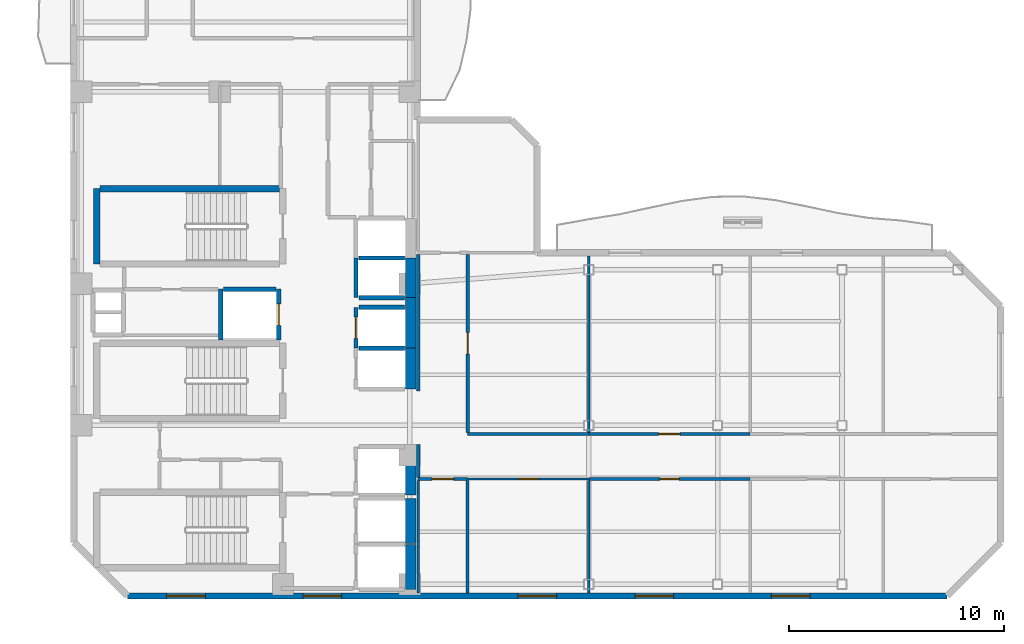
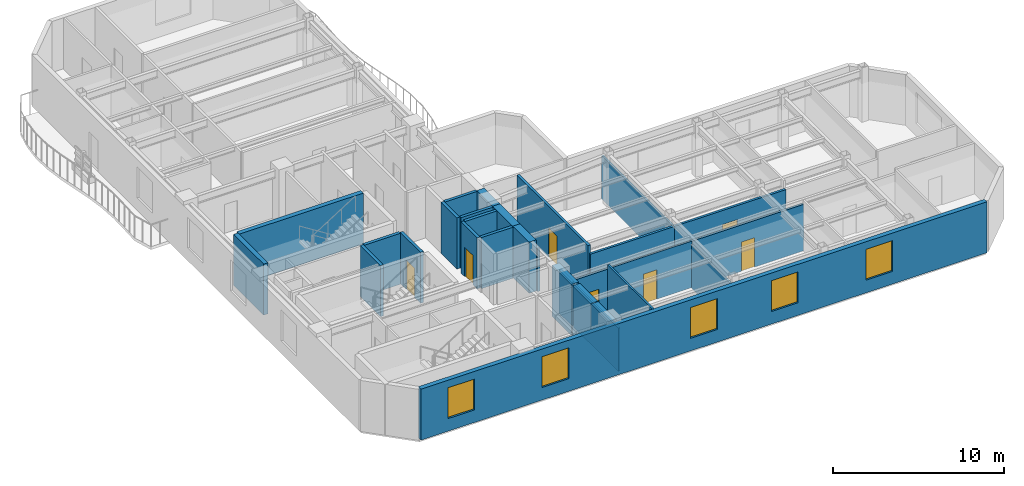
# One storey, part 3 of 9: 30 walls, 7 doors, 5 windows, 12 openings.
"""IFC4 building model written with IfcOpenShell, lengths in metres."""

from ifc_helpers import new_model, si_unit, direction, frame, frame_2d, origin, place, context, subcontext, project, spatial, rectangle, extrude, material, layer, layer_set, type_object, element, fill, save


model = new_model("IFC4")

# Units and contexts
model_context = context("Model", 3, precision=1e-05, world=origin(), true_north=direction((0.0, 1.0)))
body_context = subcontext(model_context, "Body", "Model", "MODEL_VIEW")
ifc_project = project(units=[si_unit("LENGTHUNIT", "METRE"), si_unit("AREAUNIT", "SQUARE_METRE"), si_unit("VOLUMEUNIT", "CUBIC_METRE"), si_unit("PLANEANGLEUNIT", "RADIAN"), si_unit("MASSUNIT", "GRAM", prefix="KILO")], contexts=[model_context])

# Site, building, storey
site_placement = place(None, origin())
site = spatial("IfcSite", under=ifc_project, at=site_placement, CompositionType="ELEMENT")
building_placement = place(site_placement, origin())
building = spatial("IfcBuilding", under=site, at=building_placement, Name="Mawjaban Terraces University", CompositionType="ELEMENT")
storey_placement = place(building_placement, frame((0.0, 0.0, 234.300048828125)))
storey = spatial("IfcBuildingStorey", under=building, at=storey_placement, Name="L57", CompositionType="ELEMENT", Elevation=234.300048828125)

# Walls
ifc_material_1 = material(Name="Concrete C60/75", Category="concrete")
ifc_layer_1 = layer(ifc_material_1, 0.5)
ifc_layer_set_1 = layer_set([ifc_layer_1], Name="Concrete C60/75")
wall_type_1 = type_object("IfcWallType", Name="CoreShearWall_500", PredefinedType="SHEAR", material=ifc_layer_set_1)
wall_1_placement = place(storey_placement, frame((37.699951171875, 0.300048828125, 0.0), z_axis=(0.0, 0.0, 1.0), x_axis=(0.0, 1.0, 0.0)))
element("IfcWall", 1, at=wall_1_placement, inside=storey, type_object=wall_type_1, Name="L57 Lift FL-1 Hoistway Wall East", PredefinedType="SHEAR", context=body_context, shape_type="SweptSolid", body=[
    extrude(rectangle(XDim=2.099853515625, YDim=0.5, at=frame_2d((1.0498046875, 0.0))), origin(), (0.0, 0.0, 1.0), 3.639892578125),
])
wall_2_placement = place(storey_placement, frame((37.699951171875, 2.449951171875, 0.0), z_axis=(0.0, 0.0, 1.0), x_axis=(0.0, 1.0, 0.0)))
element("IfcWall", 2, at=wall_2_placement, inside=storey, type_object=wall_type_1, Name="L57 Lift FL-2 Hoistway Wall East", PredefinedType="SHEAR", context=body_context, shape_type="SweptSolid", body=[
    extrude(rectangle(XDim=2.10009765625, YDim=0.5, at=frame_2d((1.050048828125, 0.0))), origin(), (0.0, 0.0, 1.0), 3.639892578125),
])
wall_3_placement = place(storey_placement, frame((37.699951171875, 4.699951171875, 0.0), z_axis=(0.0, 0.0, 1.0), x_axis=(0.0, 1.0, 0.0)))
element("IfcWall", 3, at=wall_3_placement, inside=storey, type_object=wall_type_1, Name="L57 Lift SL-1 Hoistway Wall East", PredefinedType="SHEAR", context=body_context, shape_type="SweptSolid", body=[
    extrude(rectangle(XDim=2.25, YDim=0.5, at=frame_2d((1.125, 0.0))), origin(), (0.0, 0.0, 1.0), 3.639892578125),
])
wall_4_placement = place(storey_placement, frame((37.699951171875, 9.64990234375, 0.0), z_axis=(0.0, 0.0, 1.0), x_axis=(0.0, 1.0, 0.0)))
element("IfcWall", 4, at=wall_4_placement, inside=storey, type_object=wall_type_1, Name="L57 Lift PL-H1 Hoistway Wall East", PredefinedType="SHEAR", context=body_context, shape_type="SweptSolid", body=[
    extrude(rectangle(XDim=1.900146484375, YDim=0.5, at=frame_2d((0.9501953125, 0.0))), origin(), (0.0, 0.0, 1.0), 3.639892578125),
])
wall_5_placement = place(storey_placement, frame((37.699951171875, 11.550048828125, 0.0), z_axis=(0.0, 0.0, 1.0), x_axis=(0.0, 1.0, 0.0)))
element("IfcWall", 5, at=wall_5_placement, inside=storey, type_object=wall_type_1, Name="L57 Lift PL-H2 Hoistway Wall East", PredefinedType="SHEAR", context=body_context, shape_type="SweptSolid", body=[
    extrude(rectangle(XDim=2.349853515625, YDim=0.5, at=frame_2d((1.1748046875, 0.0))), origin(), (0.0, 0.0, 1.0), 3.639892578125),
])
wall_6_placement = place(storey_placement, frame((37.699951171875, 13.89990234375, 0.0), z_axis=(0.0, 0.0, 1.0), x_axis=(0.0, 1.0, 0.0)))
element("IfcWall", 6, at=wall_6_placement, inside=storey, type_object=wall_type_1, Name="L57 Lift OL-1 Hoistway Wall East", PredefinedType="SHEAR", context=body_context, shape_type="SweptSolid", body=[
    extrude(rectangle(XDim=1.85009765625, YDim=0.5, at=frame_2d((0.925048828125, 0.0))), origin(), (0.0, 0.0, 1.0), 3.639892578125),
])

# Wall, opening, door
ifc_material_2 = material(Name="Fire-rated gypsum board on steel stud", Category="steel")
ifc_layer_2 = layer(ifc_material_2, 0.159912109375)
ifc_layer_set_2 = layer_set([ifc_layer_2], Name="Fire-rated gypsum board on steel stud")
wall_type_2 = type_object("IfcWallType", Name="CorridorPartition_160", PredefinedType="PARTITIONING", material=ifc_layer_set_2)
wall_7_placement = place(storey_placement, frame((38.050048828125, 5.449951171875, 0.0), z_axis=(0.0, 0.0, 1.0), x_axis=(1.0, 0.0, 0.0)))
wall_7 = element("IfcWall", 7, at=wall_7_placement, inside=storey, type_object=wall_type_2, Name="L57 South Spine Spur Link Partition 19", PredefinedType="PARTITIONING", context=body_context, shape_type="SweptSolid", body=[
    extrude(rectangle(XDim=2.300048828125, YDim=0.159912109375, at=frame_2d((1.14990234375, 0.0))), origin(), (0.0, 0.0, 1.0), 3.322021484375),
])
opening_1_placement = place(wall_7_placement, frame((0.64990234375, 0.0, 0.0)))
opening_1 = element("IfcOpeningElement", 8, at=opening_1_placement, cuts=wall_7, Name="Opening ID-100", PredefinedType="OPENING", context=body_context, shape_type="SweptSolid", body=[
    extrude(rectangle(XDim=1.0, YDim=2.10009765625, at=frame_2d((0.5, 1.050048828125))), frame((0.0, 0.08984375, 0.0), z_axis=(0.0, -1.0, 0.0), x_axis=(1.0, 0.0, 0.0)), (0.0, 0.0, 1.0), 0.179931640625),
])
ifc_material_3 = material(Name="Powder-coated steel frame and solid acoustic timber leaf", Category="steel")
door_type_1 = type_object("IfcDoorType", Name="ClassroomDoor_1000x2100", OperationType="NOTDEFINED", PredefinedType="DOOR", material=ifc_material_3)
door_1_placement = place(opening_1_placement, origin())
door_1 = element("IfcDoor", 9, at=door_1_placement, inside=storey, type_object=door_type_1, Name="L57 Tutorial Room 1 Door", OperationType="SINGLE_SWING_LEFT", OverallHeight=2.10009765625, OverallWidth=1.0, PredefinedType="DOOR", context=body_context, shape_type="SweptSolid", body=[
    extrude(rectangle(XDim=1.0, YDim=2.10009765625, at=frame_2d((0.5, 1.050048828125))), frame((0.0, 0.02490234375, 0.0), z_axis=(0.0, -1.0, 0.0), x_axis=(1.0, 0.0, 0.0)), (0.0, 0.0, 1.0), 0.050048828125),
])
fill(opening_1, door_1)

wall_8_placement = place(storey_placement, frame((46.0, 5.449951171875, 0.0), z_axis=(0.0, 0.0, 1.0), x_axis=(1.0, 0.0, 0.0)))
wall_8 = element("IfcWall", 10, at=wall_8_placement, inside=storey, type_object=wall_type_2, Name="L57 South Shifted Academic Corridor Partition 23", PredefinedType="PARTITIONING", context=body_context, shape_type="SweptSolid", body=[
    extrude(rectangle(XDim=7.52001953125, YDim=0.159912109375, at=frame_2d((3.760009765625, 0.0))), origin(), (0.0, 0.0, 1.0), 3.322021484375),
])
opening_2_placement = place(wall_8_placement, frame((3.31005859375, 0.0, 0.0)))
opening_2 = element("IfcOpeningElement", 11, at=opening_2_placement, cuts=wall_8, Name="Opening ID-090", PredefinedType="OPENING", context=body_context, shape_type="SweptSolid", body=[
    extrude(rectangle(XDim=0.89990234375, YDim=2.10009765625, at=frame_2d((0.449951171875, 1.050048828125))), frame((0.0, 0.08984375, 0.0), z_axis=(0.0, -1.0, 0.0), x_axis=(1.0, 0.0, 0.0)), (0.0, 0.0, 1.0), 0.179931640625),
])
door_type_2 = type_object("IfcDoorType", Name="OfficeDoor_900x2100", OperationType="NOTDEFINED", PredefinedType="DOOR", material=ifc_material_3)
door_2_placement = place(opening_2_placement, origin())
door_2 = element("IfcDoor", 12, at=door_2_placement, inside=storey, type_object=door_type_2, Name="L57 Seminar Room 4 Door", OperationType="SINGLE_SWING_RIGHT", OverallHeight=2.10009765625, OverallWidth=0.89990234375, PredefinedType="DOOR", context=body_context, shape_type="SweptSolid", body=[
    extrude(rectangle(XDim=0.89990234375, YDim=2.10009765625, at=frame_2d((0.449951171875, 1.050048828125))), frame((0.0, 0.02490234375, 0.0), z_axis=(0.0, -1.0, 0.0), x_axis=(1.0, 0.0, 0.0)), (0.0, 0.0, 1.0), 0.050048828125),
])
fill(opening_2, door_2)

# Wall
wall_9_placement = place(storey_placement, frame((46.0, 7.550048828125, 0.0), z_axis=(0.0, 0.0, 1.0), x_axis=(-1.0, 0.0, 0.0)))
element("IfcWall", 13, at=wall_9_placement, inside=storey, type_object=wall_type_2, Name="L57 South Shifted Academic Corridor Partition 24", PredefinedType="PARTITIONING", context=body_context, shape_type="SweptSolid", body=[
    extrude(rectangle(XDim=5.64990234375, YDim=0.159912109375, at=frame_2d((2.824951171875, 0.0))), origin(), (0.0, 0.0, 1.0), 3.095947265625),
])

# Wall, opening, door
wall_10_placement = place(storey_placement, frame((53.52001953125, 7.550048828125, 0.0), z_axis=(0.0, 0.0, 1.0), x_axis=(-1.0, 0.0, 0.0)))
wall_10 = element("IfcWall", 14, at=wall_10_placement, inside=storey, type_object=wall_type_2, Name="L57 South Shifted Academic Corridor Partition 26", PredefinedType="PARTITIONING", context=body_context, shape_type="SweptSolid", body=[
    extrude(rectangle(XDim=7.52001953125, YDim=0.159912109375, at=frame_2d((3.760009765625, 0.0))), origin(), (0.0, 0.0, 1.0), 3.095947265625),
])
opening_3_placement = place(wall_10_placement, frame((3.260009765625, 0.0, 0.0)))
opening_3 = element("IfcOpeningElement", 15, at=opening_3_placement, cuts=wall_10, Name="Opening ID-100", PredefinedType="OPENING", context=body_context, shape_type="SweptSolid", body=[
    extrude(rectangle(XDim=1.0, YDim=2.10009765625, at=frame_2d((0.5, 1.050048828125))), frame((0.0, 0.08984375, 0.0), z_axis=(0.0, -1.0, 0.0), x_axis=(1.0, 0.0, 0.0)), (0.0, 0.0, 1.0), 0.179931640625),
])
door_3_placement = place(opening_3_placement, origin())
door_3 = element("IfcDoor", 16, at=door_3_placement, inside=storey, type_object=door_type_1, Name="L57 Tutorial Room 5 Door", OperationType="SINGLE_SWING_LEFT", OverallHeight=2.10009765625, OverallWidth=1.0, PredefinedType="DOOR", context=body_context, shape_type="SweptSolid", body=[
    extrude(rectangle(XDim=1.0, YDim=2.10009765625, at=frame_2d((0.5, 1.050048828125))), frame((0.0, 0.02490234375, 0.0), z_axis=(0.0, -1.0, 0.0), x_axis=(1.0, 0.0, 0.0)), (0.0, 0.0, 1.0), 0.050048828125),
])
fill(opening_3, door_3)

# Walls
wall_11_placement = place(storey_placement, frame((38.050048828125, 7.050048828125, 0.0), z_axis=(0.0, 0.0, 1.0), x_axis=(0.0, -1.0, 0.0)))
element("IfcWall", 17, at=wall_11_placement, inside=storey, type_object=wall_type_2, Name="L57 South Spine Spur Link Partition 48", PredefinedType="PARTITIONING", context=body_context, shape_type="SweptSolid", body=[
    extrude(rectangle(XDim=1.525146484375, YDim=0.159912109375, at=frame_2d((0.7626953125, 0.0))), origin(), (0.0, 0.0, 1.0), 3.095947265625),
])
wall_12_placement = place(storey_placement, frame((38.050048828125, 15.925048828125, 0.0), z_axis=(0.0, 0.0, 1.0), x_axis=(0.0, -1.0, 0.0)))
element("IfcWall", 18, at=wall_12_placement, inside=storey, type_object=wall_type_2, Name="L57 South Spine Spur Link Partition 49", PredefinedType="PARTITIONING", context=body_context, shape_type="SweptSolid", body=[
    extrude(rectangle(XDim=6.375, YDim=0.159912109375, at=frame_2d((3.1875, 0.0))), origin(), (0.0, 0.0, 1.0), 3.095947265625),
])

# Wall, opening, door
wall_13_placement = place(storey_placement, frame((40.35009765625, 7.625, 0.0), z_axis=(0.0, 0.0, 1.0), x_axis=(0.0, 1.0, 0.0)))
wall_13 = element("IfcWall", 19, at=wall_13_placement, inside=storey, type_object=wall_type_2, Name="L57 South Spine Spur Link Partition 52", PredefinedType="PARTITIONING", context=body_context, shape_type="SweptSolid", body=[
    extrude(rectangle(XDim=8.300048828125, YDim=0.159912109375, at=frame_2d((4.14990234375, 0.0))), origin(), (0.0, 0.0, 1.0), 3.639892578125),
])
opening_4_placement = place(wall_13_placement, frame((3.64990234375, 0.0, 0.0)))
opening_4 = element("IfcOpeningElement", 20, at=opening_4_placement, cuts=wall_13, Name="Opening ID-100", PredefinedType="OPENING", context=body_context, shape_type="SweptSolid", body=[
    extrude(rectangle(XDim=1.0, YDim=2.10009765625, at=frame_2d((0.5, 1.050048828125))), frame((0.0, 0.08984375, 0.0), z_axis=(0.0, -1.0, 0.0), x_axis=(1.0, 0.0, 0.0)), (0.0, 0.0, 1.0), 0.179931640625),
])
door_4_placement = place(opening_4_placement, origin())
door_4 = element("IfcDoor", 21, at=door_4_placement, inside=storey, type_object=door_type_1, Name="L57 Classroom 3 Door", OperationType="SINGLE_SWING_LEFT", OverallHeight=2.10009765625, OverallWidth=1.0, PredefinedType="DOOR", context=body_context, shape_type="SweptSolid", body=[
    extrude(rectangle(XDim=1.0, YDim=2.10009765625, at=frame_2d((0.5, 1.050048828125))), frame((0.0, 0.02490234375, 0.0), z_axis=(0.0, -1.0, 0.0), x_axis=(1.0, 0.0, 0.0)), (0.0, 0.0, 1.0), 0.050048828125),
])
fill(opening_4, door_4)

# Wall, openings, windows
ifc_material_4 = material(Name="Insulated terracotta rainscreen on concrete backup C40/50", Category="masonry")
ifc_layer_3 = layer(ifc_material_4, 0.300048828125)
ifc_layer_set_3 = layer_set([ifc_layer_3], Name="Insulated terracotta rainscreen on concrete backup C40/50")
wall_type_3 = type_object("IfcWallType", Name="ExtTerracottaWall_300", PredefinedType="SOLIDWALL", material=ifc_layer_set_3)
wall_14_placement = place(storey_placement, frame((24.5, 0.0, 0.0), z_axis=(0.0, 0.0, 1.0), x_axis=(1.0, 0.0, 0.0)))
wall_14 = element("IfcWall", 22, at=wall_14_placement, inside=storey, type_object=wall_type_3, Name="L57 Exterior Terracotta Wall 1", PredefinedType="SOLIDWALL", context=body_context, shape_type="SweptSolid", body=[
    extrude(rectangle(XDim=38.199951171875, YDim=0.300048828125, at=frame_2d((19.10009765625, 0.0))), origin(), (0.0, 0.0, 1.0), 3.639892578125),
])
opening_5_placement = place(wall_14_placement, frame((1.8291015625, 0.0, 0.89990234375)))
opening_5 = element("IfcOpeningElement", 23, at=opening_5_placement, cuts=wall_14, Name="Opening W-10", PredefinedType="OPENING", context=body_context, shape_type="SweptSolid", body=[
    extrude(rectangle(XDim=1.800048828125, YDim=2.199951171875, at=frame_2d((0.89990234375, 1.10009765625))), frame((0.0, 0.159912109375, 0.0), z_axis=(0.0, -1.0, 0.0), x_axis=(1.0, 0.0, 0.0)), (0.0, 0.0, 1.0), 0.320068359375),
])
opening_6_placement = place(wall_14_placement, frame((8.18603515625, 0.0, 0.89990234375)))
opening_6 = element("IfcOpeningElement", 24, at=opening_6_placement, cuts=wall_14, Name="Opening W-10", PredefinedType="OPENING", context=body_context, shape_type="SweptSolid", body=[
    extrude(rectangle(XDim=1.800048828125, YDim=2.199951171875, at=frame_2d((0.89990234375, 1.10009765625))), frame((0.0, 0.159912109375, 0.0), z_axis=(0.0, -1.0, 0.0), x_axis=(1.0, 0.0, 0.0)), (0.0, 0.0, 1.0), 0.320068359375),
])
opening_7_placement = place(wall_14_placement, frame((18.199951171875, 0.0, 0.89990234375)))
opening_7 = element("IfcOpeningElement", 25, at=opening_7_placement, cuts=wall_14, Name="Opening W-10", PredefinedType="OPENING", context=body_context, shape_type="SweptSolid", body=[
    extrude(rectangle(XDim=1.800048828125, YDim=2.199951171875, at=frame_2d((0.89990234375, 1.10009765625))), frame((0.0, 0.159912109375, 0.0), z_axis=(0.0, -1.0, 0.0), x_axis=(1.0, 0.0, 0.0)), (0.0, 0.0, 1.0), 0.320068359375),
])
opening_8_placement = place(wall_14_placement, frame((23.656982421875, 0.0, 0.89990234375)))
opening_8 = element("IfcOpeningElement", 26, at=opening_8_placement, cuts=wall_14, Name="Opening W-10", PredefinedType="OPENING", context=body_context, shape_type="SweptSolid", body=[
    extrude(rectangle(XDim=1.800048828125, YDim=2.199951171875, at=frame_2d((0.89990234375, 1.10009765625))), frame((0.0, 0.159912109375, 0.0), z_axis=(0.0, -1.0, 0.0), x_axis=(1.0, 0.0, 0.0)), (0.0, 0.0, 1.0), 0.320068359375),
])
opening_9_placement = place(wall_14_placement, frame((30.013916015625, 0.0, 0.89990234375)))
opening_9 = element("IfcOpeningElement", 27, at=opening_9_placement, cuts=wall_14, Name="Opening W-10", PredefinedType="OPENING", context=body_context, shape_type="SweptSolid", body=[
    extrude(rectangle(XDim=1.800048828125, YDim=2.199951171875, at=frame_2d((0.89990234375, 1.10009765625))), frame((0.0, 0.159912109375, 0.0), z_axis=(0.0, -1.0, 0.0), x_axis=(1.0, 0.0, 0.0)), (0.0, 0.0, 1.0), 0.320068359375),
])
ifc_material_5 = material(Name="Low-E solar-control double glazing in thermally broken aluminium frame", Category="aluminium")
window_type = type_object("IfcWindowType", Name="Win_1800x2200", PartitioningType="SINGLE_PANEL", PredefinedType="WINDOW", material=ifc_material_5)
window_1_placement = place(opening_5_placement, origin())
window_1 = element("IfcWindow", 28, at=window_1_placement, inside=storey, type_object=window_type, Name="L57 Facade Window 1.1", OverallHeight=2.199951171875, OverallWidth=1.800048828125, PartitioningType="SINGLE_PANEL", PredefinedType="WINDOW", context=body_context, shape_type="SweptSolid", body=[
    extrude(rectangle(XDim=1.800048828125, YDim=2.199951171875, at=frame_2d((0.89990234375, 1.10009765625))), frame((0.0, 0.030029296875, 0.0), z_axis=(0.0, -1.0, 0.0), x_axis=(1.0, 0.0, 0.0)), (0.0, 0.0, 1.0), 0.06005859375),
])
fill(opening_5, window_1)
window_2_placement = place(opening_6_placement, origin())
window_2 = element("IfcWindow", 29, at=window_2_placement, inside=storey, type_object=window_type, Name="L57 Facade Window 1.2", OverallHeight=2.199951171875, OverallWidth=1.800048828125, PartitioningType="SINGLE_PANEL", PredefinedType="WINDOW", context=body_context, shape_type="SweptSolid", body=[
    extrude(rectangle(XDim=1.800048828125, YDim=2.199951171875, at=frame_2d((0.89990234375, 1.10009765625))), frame((0.0, 0.030029296875, 0.0), z_axis=(0.0, -1.0, 0.0), x_axis=(1.0, 0.0, 0.0)), (0.0, 0.0, 1.0), 0.06005859375),
])
fill(opening_6, window_2)
window_3_placement = place(opening_7_placement, origin())
window_3 = element("IfcWindow", 30, at=window_3_placement, inside=storey, type_object=window_type, Name="L57 Facade Window 1.4", OverallHeight=2.199951171875, OverallWidth=1.800048828125, PartitioningType="SINGLE_PANEL", PredefinedType="WINDOW", context=body_context, shape_type="SweptSolid", body=[
    extrude(rectangle(XDim=1.800048828125, YDim=2.199951171875, at=frame_2d((0.89990234375, 1.10009765625))), frame((0.0, 0.030029296875, 0.0), z_axis=(0.0, -1.0, 0.0), x_axis=(1.0, 0.0, 0.0)), (0.0, 0.0, 1.0), 0.06005859375),
])
fill(opening_7, window_3)
window_4_placement = place(opening_8_placement, origin())
window_4 = element("IfcWindow", 31, at=window_4_placement, inside=storey, type_object=window_type, Name="L57 Facade Window 1.5", OverallHeight=2.199951171875, OverallWidth=1.800048828125, PartitioningType="SINGLE_PANEL", PredefinedType="WINDOW", context=body_context, shape_type="SweptSolid", body=[
    extrude(rectangle(XDim=1.800048828125, YDim=2.199951171875, at=frame_2d((0.89990234375, 1.10009765625))), frame((0.0, 0.030029296875, 0.0), z_axis=(0.0, -1.0, 0.0), x_axis=(1.0, 0.0, 0.0)), (0.0, 0.0, 1.0), 0.06005859375),
])
fill(opening_8, window_4)
window_5_placement = place(opening_9_placement, origin())
window_5 = element("IfcWindow", 32, at=window_5_placement, inside=storey, type_object=window_type, Name="L57 Facade Window 1.6", OverallHeight=2.199951171875, OverallWidth=1.800048828125, PartitioningType="SINGLE_PANEL", PredefinedType="WINDOW", context=body_context, shape_type="SweptSolid", body=[
    extrude(rectangle(XDim=1.800048828125, YDim=2.199951171875, at=frame_2d((0.89990234375, 1.10009765625))), frame((0.0, 0.030029296875, 0.0), z_axis=(0.0, -1.0, 0.0), x_axis=(1.0, 0.0, 0.0)), (0.0, 0.0, 1.0), 0.06005859375),
])
fill(opening_9, window_5)

# Wall
ifc_material_6 = material(Name="Concrete C40/50", Category="concrete")
ifc_layer_4 = layer(ifc_material_6, 0.199951171875)
ifc_layer_set_4 = layer_set([ifc_layer_4], Name="Concrete C40/50")
wall_type_4 = type_object("IfcWallType", Name="FireLobbyWall_200", PredefinedType="SOLIDWALL", material=ifc_layer_set_4)
wall_15_placement = place(storey_placement, frame((37.419921875, 11.550048828125, 0.0), z_axis=(0.0, 0.0, 1.0), x_axis=(-1.0, 0.0, 0.0)))
element("IfcWall", 33, at=wall_15_placement, inside=storey, type_object=wall_type_4, Name="L57 Lift PL-H1 Hoistway Wall North", PredefinedType="SOLIDWALL", context=body_context, shape_type="SweptSolid", body=[
    extrude(rectangle(XDim=2.139892578125, YDim=0.199951171875, at=frame_2d((1.06982421875, 0.0))), origin(), (0.0, 0.0, 1.0), 3.639892578125),
])

# Wall, opening, door
wall_16_placement = place(storey_placement, frame((35.14990234375, 13.449951171875, 0.0), z_axis=(0.0, 0.0, 1.0), x_axis=(0.0, -1.0, 0.0)))
wall_16 = element("IfcWall", 34, at=wall_16_placement, inside=storey, type_object=wall_type_4, Name="L57 Lift PL-H2 Hoistway Wall West", PredefinedType="SOLIDWALL", context=body_context, shape_type="SweptSolid", body=[
    extrude(rectangle(XDim=1.89990234375, YDim=0.199951171875, at=frame_2d((0.949951171875, 0.0))), origin(), (0.0, 0.0, 1.0), 3.639892578125),
])
opening_10_placement = place(wall_16_placement, frame((0.449951171875, 0.0, 0.0)))
opening_10 = element("IfcOpeningElement", 35, at=opening_10_placement, cuts=wall_16, Name="Opening LD-PL-H2", PredefinedType="OPENING", context=body_context, shape_type="SweptSolid", body=[
    extrude(rectangle(XDim=1.0, YDim=2.10009765625, at=frame_2d((0.5, 1.050048828125))), frame((0.0, 0.10986328125, 0.0), z_axis=(0.0, -1.0, 0.0), x_axis=(1.0, 0.0, 0.0)), (0.0, 0.0, 1.0), 0.219970703125),
])
ifc_material_7 = material(Name="Powder-coated steel frame and fire-rated steel-faced leaf", Category="steel")
door_type_3 = type_object("IfcDoorType", Name="LiftLandingSliding_1000x2100", OperationType="NOTDEFINED", PredefinedType="DOOR", material=ifc_material_7)
door_5_placement = place(opening_10_placement, origin())
door_5 = element("IfcDoor", 36, at=door_5_placement, inside=storey, type_object=door_type_3, Name="L57 Lift PL-H2 Sliding Landing Door", OperationType="DOUBLE_DOOR_SLIDING", OverallHeight=2.10009765625, OverallWidth=1.0, PredefinedType="DOOR", context=body_context, shape_type="SweptSolid", body=[
    extrude(rectangle(XDim=1.0, YDim=2.10009765625, at=frame_2d((0.5, 1.050048828125))), frame((0.0, 0.02490234375, 0.0), z_axis=(0.0, -1.0, 0.0), x_axis=(1.0, 0.0, 0.0)), (0.0, 0.0, 1.0), 0.050048828125),
])
fill(opening_10, door_5)

# Walls
wall_17_placement = place(storey_placement, frame((37.419921875, 13.449951171875, 0.0), z_axis=(0.0, 0.0, 1.0), x_axis=(-1.0, 0.0, 0.0)))
element("IfcWall", 37, at=wall_17_placement, inside=storey, type_object=wall_type_4, Name="L57 Lift PL-H2 Hoistway Wall North", PredefinedType="SOLIDWALL", context=body_context, shape_type="SweptSolid", body=[
    extrude(rectangle(XDim=2.139892578125, YDim=0.199951171875, at=frame_2d((1.06982421875, 0.0))), origin(), (0.0, 0.0, 1.0), 3.639892578125),
])
wall_18_placement = place(storey_placement, frame((28.85009765625, 14.300048828125, 0.0), z_axis=(0.0, 0.0, 1.0), x_axis=(0.0, -1.0, 0.0)))
element("IfcWall", 38, at=wall_18_placement, inside=storey, type_object=wall_type_4, Name="L57 Lift PL-H3 Hoistway Wall West", PredefinedType="SOLIDWALL", context=body_context, shape_type="SweptSolid", body=[
    extrude(rectangle(XDim=2.3701171875, YDim=0.199951171875, at=frame_2d((1.18505859375, 0.0))), origin(), (0.0, 0.0, 1.0), 3.639892578125),
])

# Wall, opening, door
wall_19_placement = place(storey_placement, frame((31.550048828125, 11.929931640625, 0.0), z_axis=(0.0, 0.0, 1.0), x_axis=(0.0, 1.0, 0.0)))
wall_19 = element("IfcWall", 39, at=wall_19_placement, inside=storey, type_object=wall_type_4, Name="L57 Lift PL-H3 Hoistway Wall East", PredefinedType="SOLIDWALL", context=body_context, shape_type="SweptSolid", body=[
    extrude(rectangle(XDim=2.3701171875, YDim=0.199951171875, at=frame_2d((1.18505859375, 0.0))), origin(), (0.0, 0.0, 1.0), 3.639892578125),
])
opening_11_placement = place(wall_19_placement, frame((0.68505859375, 0.0, 0.0)))
opening_11 = element("IfcOpeningElement", 40, at=opening_11_placement, cuts=wall_19, Name="Opening LD-PL-H3", PredefinedType="OPENING", context=body_context, shape_type="SweptSolid", body=[
    extrude(rectangle(XDim=1.0, YDim=2.10009765625, at=frame_2d((0.5, 1.050048828125))), frame((0.0, 0.10986328125, 0.0), z_axis=(0.0, -1.0, 0.0), x_axis=(1.0, 0.0, 0.0)), (0.0, 0.0, 1.0), 0.219970703125),
])
door_6_placement = place(opening_11_placement, origin())
door_6 = element("IfcDoor", 41, at=door_6_placement, inside=storey, type_object=door_type_3, Name="L57 Lift PL-H3 Sliding Landing Door", OperationType="DOUBLE_DOOR_SLIDING", OverallHeight=2.10009765625, OverallWidth=1.0, PredefinedType="DOOR", context=body_context, shape_type="SweptSolid", body=[
    extrude(rectangle(XDim=1.0, YDim=2.10009765625, at=frame_2d((0.5, 1.050048828125))), frame((0.0, 0.02490234375, 0.0), z_axis=(0.0, -1.0, 0.0), x_axis=(1.0, 0.0, 0.0)), (0.0, 0.0, 1.0), 0.050048828125),
])
fill(opening_11, door_6)

# Walls
wall_20_placement = place(storey_placement, frame((31.419921875, 14.300048828125, 0.0), z_axis=(0.0, 0.0, 1.0), x_axis=(-1.0, 0.0, 0.0)))
element("IfcWall", 42, at=wall_20_placement, inside=storey, type_object=wall_type_4, Name="L57 Lift PL-H3 Hoistway Wall North", PredefinedType="SOLIDWALL", context=body_context, shape_type="SweptSolid", body=[
    extrude(rectangle(XDim=2.43994140625, YDim=0.199951171875, at=frame_2d((1.219970703125, 0.0))), origin(), (0.0, 0.0, 1.0), 3.639892578125),
])
wall_21_placement = place(storey_placement, frame((35.14990234375, 15.75, 0.0), z_axis=(0.0, 0.0, 1.0), x_axis=(0.0, -1.0, 0.0)))
element("IfcWall", 43, at=wall_21_placement, inside=storey, type_object=wall_type_4, Name="L57 Lift OL-1 Hoistway Wall West", PredefinedType="SOLIDWALL", context=body_context, shape_type="SweptSolid", body=[
    extrude(rectangle(XDim=1.85009765625, YDim=0.199951171875, at=frame_2d((0.925048828125, 0.0))), origin(), (0.0, 0.0, 1.0), 3.639892578125),
])
for number, where, z_axis, x_axis, name in (
    (44, (35.280029296875, 13.89990234375, 0.0), (0.0, 0.0, 1.0), (1.0, 0.0, 0.0), "L57 Lift OL-1 Hoistway Wall South"),
    (45, (37.419921875, 15.75, 0.0), (0.0, 0.0, 1.0), (-1.0, 0.0, 0.0), "L57 Lift OL-1 Hoistway Wall North"),
):
    element("IfcWall", number, at=place(storey_placement, frame(where, z_axis=z_axis, x_axis=x_axis)), inside=storey, type_object=wall_type_4, Name=name, PredefinedType="SOLIDWALL", context=body_context, shape_type="SweptSolid", body=[
        extrude(rectangle(XDim=2.139892578125, YDim=0.199951171875, at=frame_2d((1.06982421875, 0.0))), origin(), (0.0, 0.0, 1.0), 3.639892578125),
    ])
ifc_material_8 = material(Name="Gypsum plasterboard on steel stud", Category="steel")
ifc_layer_5 = layer(ifc_material_8, 0.125)
ifc_layer_set_5 = layer_set([ifc_layer_5], Name="Gypsum plasterboard on steel stud")
wall_type_5 = type_object("IfcWallType", Name="OfficePartition_125", PredefinedType="PARTITIONING", material=ifc_layer_set_5)
wall_22_placement = place(storey_placement, frame((38.050048828125, 5.375, 0.0), z_axis=(0.0, 0.0, 1.0), x_axis=(0.0, -1.0, 0.0)))
element("IfcWall", 46, at=wall_22_placement, inside=storey, type_object=wall_type_5, Name="L57 Tutorial Room 1 Partition 47", PredefinedType="PARTITIONING", context=body_context, shape_type="SweptSolid", body=[
    extrude(rectangle(XDim=5.22998046875, YDim=0.125, at=frame_2d((2.614990234375, 0.0))), origin(), (0.0, 0.0, 1.0), 3.095947265625),
])
wall_23_placement = place(storey_placement, frame((40.35009765625, 0.14501953125, 0.0), z_axis=(0.0, 0.0, 1.0), x_axis=(0.0, 1.0, 0.0)))
element("IfcWall", 47, at=wall_23_placement, inside=storey, type_object=wall_type_5, Name="L57 Tutorial Room 1 Partition 51", PredefinedType="PARTITIONING", context=body_context, shape_type="SweptSolid", body=[
    extrude(rectangle(XDim=5.22998046875, YDim=0.125, at=frame_2d((2.614990234375, 0.0))), origin(), (0.0, 0.0, 1.0), 3.639892578125),
])
wall_24_placement = place(storey_placement, frame((46.0, 0.14501953125, 0.0), z_axis=(0.0, 0.0, 1.0), x_axis=(0.0, 1.0, 0.0)))
element("IfcWall", 48, at=wall_24_placement, inside=storey, type_object=wall_type_5, Name="L57 Conference Room 2 Partition 53", PredefinedType="PARTITIONING", context=body_context, shape_type="SweptSolid", body=[
    extrude(rectangle(XDim=5.22998046875, YDim=0.125, at=frame_2d((2.614990234375, 0.0))), origin(), (0.0, 0.0, 1.0), 3.095947265625),
])
wall_25_placement = place(storey_placement, frame((46.0, 7.625, 0.0), z_axis=(0.0, 0.0, 1.0), x_axis=(0.0, 1.0, 0.0)))
element("IfcWall", 49, at=wall_25_placement, inside=storey, type_object=wall_type_5, Name="L57 Classroom 3 Partition 54", PredefinedType="PARTITIONING", context=body_context, shape_type="SweptSolid", body=[
    extrude(rectangle(XDim=8.22998046875, YDim=0.125, at=frame_2d((4.114990234375, 0.0))), origin(), (0.0, 0.0, 1.0), 3.095947265625),
])

# Wall, opening, door
ifc_material_9 = material(Name="Acoustic operable panel partition", Category="masonry")
ifc_layer_6 = layer(ifc_material_9, 0.110107421875)
ifc_layer_set_6 = layer_set([ifc_layer_6], Name="Acoustic operable panel partition")
wall_type_6 = type_object("IfcWallType", Name="OperableSeminarWall_110", PredefinedType="MOVABLE", material=ifc_layer_set_6)
wall_26_placement = place(storey_placement, frame((40.35009765625, 5.449951171875, 0.0), z_axis=(0.0, 0.0, 1.0), x_axis=(1.0, 0.0, 0.0)))
wall_26 = element("IfcWall", 50, at=wall_26_placement, inside=storey, type_object=wall_type_6, Name="L57 South Shifted Academic Corridor Partition 20", PredefinedType="MOVABLE", context=body_context, shape_type="SweptSolid", body=[
    extrude(rectangle(XDim=5.64990234375, YDim=0.110107421875, at=frame_2d((2.824951171875, 0.0))), origin(), (0.0, 0.0, 1.0), 3.322021484375),
])
opening_12_placement = place(wall_26_placement, frame((2.375, 0.0, 0.0)))
opening_12 = element("IfcOpeningElement", 51, at=opening_12_placement, cuts=wall_26, Name="Opening ID-090", PredefinedType="OPENING", context=body_context, shape_type="SweptSolid", body=[
    extrude(rectangle(XDim=0.89990234375, YDim=2.10009765625, at=frame_2d((0.449951171875, 1.050048828125))), frame((0.0, 0.06494140625, 0.0), z_axis=(0.0, -1.0, 0.0), x_axis=(1.0, 0.0, 0.0)), (0.0, 0.0, 1.0), 0.130126953125),
])
door_7_placement = place(opening_12_placement, origin())
door_7 = element("IfcDoor", 52, at=door_7_placement, inside=storey, type_object=door_type_2, Name="L57 Conference Room 2 Door", OperationType="SINGLE_SWING_RIGHT", OverallHeight=2.10009765625, OverallWidth=0.89990234375, PredefinedType="DOOR", context=body_context, shape_type="SweptSolid", body=[
    extrude(rectangle(XDim=0.89990234375, YDim=2.10009765625, at=frame_2d((0.449951171875, 1.050048828125))), frame((0.0, 0.02490234375, 0.0), z_axis=(0.0, -1.0, 0.0), x_axis=(1.0, 0.0, 0.0)), (0.0, 0.0, 1.0), 0.050048828125),
])
fill(opening_12, door_7)

# Walls
ifc_layer_7 = layer(ifc_material_1, 0.300048828125)
ifc_layer_set_7 = layer_set([ifc_layer_7], Name="Concrete C60/75")
wall_type_7 = type_object("IfcWallType", Name="StairShaftWall_300", PredefinedType="SHEAR", material=ifc_layer_set_7)
wall_27_placement = place(storey_placement, frame((31.580078125, 18.97998046875, 0.0), z_axis=(0.0, 0.0, 1.0), x_axis=(-1.0, 0.0, 0.0)))
element("IfcWall", 53, at=wall_27_placement, inside=storey, type_object=wall_type_7, Name="L57 ST-2 Stair Shaft Wall 1", PredefinedType="SHEAR", context=body_context, shape_type="SweptSolid", body=[
    extrude(rectangle(XDim=8.360107421875, YDim=0.300048828125, at=frame_2d((4.18017578125, 0.0))), origin(), (0.0, 0.0, 1.0), 3.639892578125),
])
wall_28_placement = place(storey_placement, frame((23.070068359375, 18.97998046875, 0.0), z_axis=(0.0, 0.0, 1.0), x_axis=(0.0, -1.0, 0.0)))
element("IfcWall", 54, at=wall_28_placement, inside=storey, type_object=wall_type_7, Name="L57 ST-2 Stair Shaft Wall 2", PredefinedType="SHEAR", context=body_context, shape_type="SweptSolid", body=[
    extrude(rectangle(XDim=3.510009765625, YDim=0.300048828125, at=frame_2d((1.7548828125, 0.0))), origin(), (0.0, 0.0, 1.0), 3.639892578125),
])

save(model, "model.ifc")
